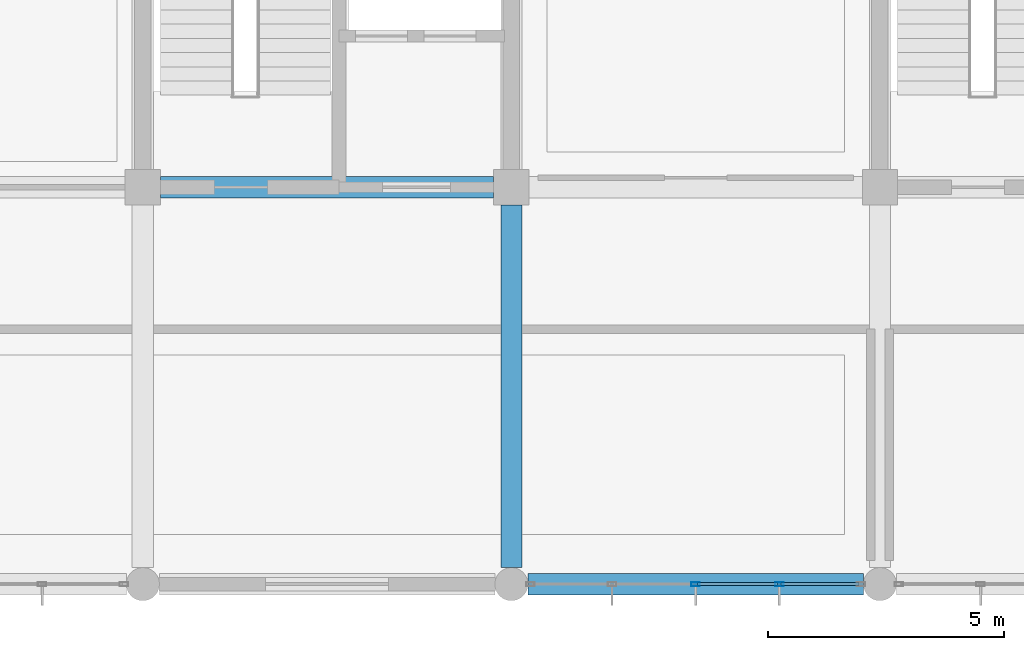
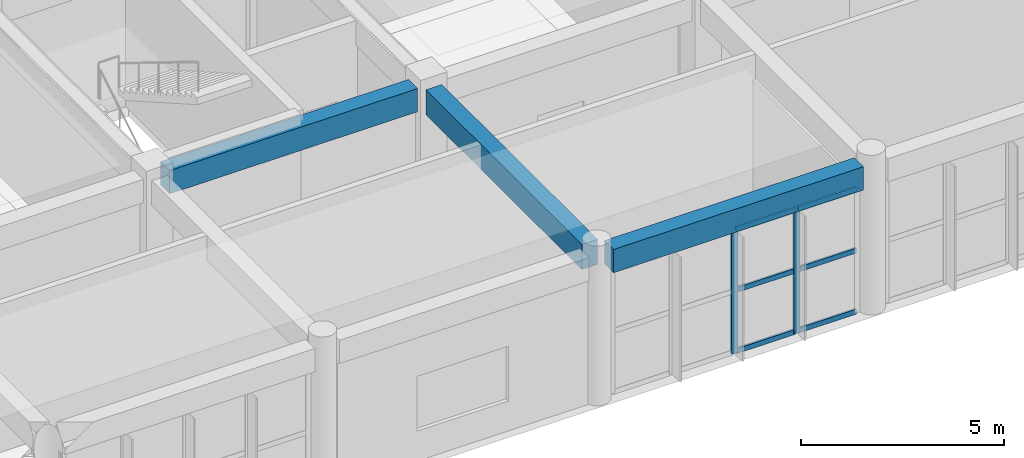
# One storey, part 28 of 167: 8 members, 3 beams, 1 element without a shape of its own.
"""IFC4 building model written with IfcOpenShell, lengths in metres."""

from ifc_helpers import new_model, si_unit, direction, frame, origin, origin_2d, place, context, subcontext, project, spatial, rectangle, hollow_rectangle, extrude, material, layer, layer_set, material_profile, profile_set, type_object, element, aggregate, save


model = new_model("IFC4")

# Units and contexts
model_context = context("Model", 3, precision=1e-05, world=origin(), true_north=direction((0.0, 1.0)))
body_context = subcontext(model_context, "Body", "Model", "MODEL_VIEW")
ifc_project = project(units=[si_unit("LENGTHUNIT", "METRE"), si_unit("AREAUNIT", "SQUARE_METRE"), si_unit("VOLUMEUNIT", "CUBIC_METRE"), si_unit("PLANEANGLEUNIT", "RADIAN"), si_unit("MASSUNIT", "GRAM", prefix="KILO")], contexts=[model_context])

# Site, building, storey
site_placement = place(None, origin())
site = spatial("IfcSite", under=ifc_project, at=site_placement, CompositionType="ELEMENT")
building_placement = place(site_placement, origin())
building = spatial("IfcBuilding", under=site, at=building_placement, Name="Zizhar Promenade General Hospital", CompositionType="ELEMENT")
storey_placement = place(building_placement, frame((0.0, 0.0, 9.60009765625)))
storey = spatial("IfcBuildingStorey", under=building, at=storey_placement, Name="L02", CompositionType="ELEMENT", Elevation=9.60009765625)

# Beams
ifc_material_1 = material(Name="Concrete C35/45", Category="concrete")
ifc_material_profile_1 = material_profile(ifc_material_1, rectangle(XDim=0.449951171875, YDim=0.699951171875, at=origin_2d()))
ifc_profile_set_1 = profile_set([ifc_material_profile_1], Name="Concrete C35/45")
beam_type_1 = type_object("IfcBeamType", Name="BM-RC-450x700", PredefinedType="BEAM", material=ifc_profile_set_1)
beam_1_placement = place(storey_placement, frame((78.375, 8.39990234375, 4.119873046875), z_axis=(1.0, 0.0, 0.0), x_axis=(0.0, 1.0, 0.0)))
element("IfcBeam", 1, at=beam_1_placement, inside=storey, type_object=beam_type_1, Name="Grid Beam X L02 (10-1)", PredefinedType="BEAM", context=body_context, shape_type="SweptSolid", body=[
    extrude(rectangle(XDim=0.449951171875, YDim=0.699951171875, at=origin_2d()), origin(), (0.0, 0.0, 1.0), 7.050048828125),
])
beam_2_placement = place(storey_placement, frame((86.14990234375, 0.0, 4.119873046875), z_axis=(1.0, 0.0, 0.0), x_axis=(0.0, 1.0, 0.0)))
element("IfcBeam", 2, at=beam_2_placement, inside=storey, type_object=beam_type_1, Name="Grid Beam X L02 (11-0)", PredefinedType="BEAM", context=body_context, shape_type="SweptSolid", body=[
    extrude(rectangle(XDim=0.449951171875, YDim=0.699951171875, at=origin_2d()), origin(), (0.0, 0.0, 1.0), 7.10009765625),
])
ifc_material_2 = material(Name="Concrete C35/45", Category="concrete")
ifc_material_profile_2 = material_profile(ifc_material_2, rectangle(XDim=0.449951171875, YDim=0.75, at=origin_2d()))
ifc_profile_set_2 = profile_set([ifc_material_profile_2], Name="Concrete C35/45")
beam_type_2 = type_object("IfcBeamType", Name="BM-RC-450x750", PredefinedType="BEAM", material=ifc_profile_set_2)
beam_3_placement = place(storey_placement, frame((85.800048828125, 0.35009765625, 4.094970703125), z_axis=(0.0, 1.0, 0.0), x_axis=(-1.0, 0.0, 0.0)))
element("IfcBeam", 3, at=beam_3_placement, inside=storey, type_object=beam_type_2, Name="Grid Beam Y L02 (11-0)", PredefinedType="BEAM", context=body_context, shape_type="SweptSolid", body=[
    extrude(rectangle(XDim=0.449951171875, YDim=0.75, at=origin_2d()), origin(), (0.0, 0.0, 1.0), 7.6748046875),
])

# Curtain wall, members
ifc_material_3 = material(Name="Anodised aluminium 6063-T6 and low-E glass", Category="aluminium")
ifc_layer = layer(ifc_material_3, 0.159912109375)
ifc_layer_set = layer_set([ifc_layer], Name="Anodised aluminium 6063-T6 and low-E glass")
curtain_wall_type = type_object("IfcCurtainWallType", Name="CW-DT-MOD1", PredefinedType="NOTDEFINED", material=ifc_layer_set)
curtain_wall_placement = place(storey_placement, origin())
curtain_wall = element("IfcCurtainWall", 4, at=curtain_wall_placement, inside=storey, type_object=curtain_wall_type, Name="Riverfront Clinical Curtain Wall L02-10", PredefinedType="NOTDEFINED")
ifc_material_4 = material(Name="Anodised aluminium 6063-T6", Category="aluminium")
ifc_material_profile_3 = material_profile(ifc_material_4, hollow_rectangle(XDim=0.080078125, YDim=0.179931640625, WallThickness=0.0048828125, at=origin_2d()))
ifc_profile_set_3 = profile_set([ifc_material_profile_3], Name="Anodised aluminium 6063-T6")
member_type_1 = type_object("IfcMemberType", Name="CWM-ALU-180x80", PredefinedType="MULLION", material=ifc_profile_set_3)
member_1_placement = place(storey_placement, frame((91.469970703125, 0.0, 0.0), z_axis=(0.0, 0.0, 1.0), x_axis=(0.0, -1.0, 0.0)))
member_1 = element("IfcMember", 5, at=member_1_placement, type_object=member_type_1, Name="CW-07 mullion 2", PredefinedType="MULLION", context=body_context, shape_type="SweptSolid", body=[
    extrude(hollow_rectangle(XDim=0.080078125, YDim=0.179931640625, WallThickness=0.0048828125, at=origin_2d()), origin(), (0.0, 0.0, 1.0), 3.72998046875),
])
member_2_placement = place(storey_placement, frame((89.699951171875, 0.0, 0.0), z_axis=(0.0, 0.0, 1.0), x_axis=(0.0, -1.0, 0.0)))
member_2 = element("IfcMember", 6, at=member_2_placement, type_object=member_type_1, Name="CW-07 mullion 3", PredefinedType="MULLION", context=body_context, shape_type="SweptSolid", body=[
    extrude(hollow_rectangle(XDim=0.080078125, YDim=0.179931640625, WallThickness=0.0048828125, at=origin_2d()), origin(), (0.0, 0.0, 1.0), 3.72998046875),
])
ifc_material_5 = material(Name="Anodised aluminium 6063-T6", Category="aluminium")
ifc_material_profile_4 = material_profile(ifc_material_5, hollow_rectangle(XDim=0.06005859375, YDim=0.14990234375, WallThickness=0.00390625, at=origin_2d()))
ifc_profile_set_4 = profile_set([ifc_material_profile_4], Name="Anodised aluminium 6063-T6")
member_type_2 = type_object("IfcMemberType", Name="CWT-ALU-150x60", PredefinedType="USERDEFINED", material=ifc_profile_set_4)
member_3_placement = place(storey_placement, frame((93.159912109375, 0.0, 0.02978515625), z_axis=(-1.0, 0.0, 0.0), x_axis=(0.0, -1.0, 0.0)))
member_3 = element("IfcMember", 7, at=member_3_placement, type_object=member_type_2, Name="CW-07 transom 1.1", ObjectType="TRANSOM", PredefinedType="USERDEFINED", context=body_context, shape_type="SweptSolid", body=[
    extrude(hollow_rectangle(XDim=0.06005859375, YDim=0.14990234375, WallThickness=0.00390625, at=origin_2d()), origin(), (0.0, 0.0, 1.0), 1.64990234375),
])
member_4_placement = place(storey_placement, frame((93.159912109375, 0.0, 1.864990234375), z_axis=(-1.0, 0.0, 0.0), x_axis=(0.0, -1.0, 0.0)))
member_4 = element("IfcMember", 8, at=member_4_placement, type_object=member_type_2, Name="CW-07 transom 1.2", ObjectType="TRANSOM", PredefinedType="USERDEFINED", context=body_context, shape_type="SweptSolid", body=[
    extrude(hollow_rectangle(XDim=0.06005859375, YDim=0.14990234375, WallThickness=0.00390625, at=origin_2d()), origin(), (0.0, 0.0, 1.0), 1.64990234375),
])
member_5_placement = place(storey_placement, frame((93.159912109375, 0.0, 3.699951171875), z_axis=(-1.0, 0.0, 0.0), x_axis=(0.0, -1.0, 0.0)))
member_5 = element("IfcMember", 9, at=member_5_placement, type_object=member_type_2, Name="CW-07 transom 1.3", ObjectType="TRANSOM", PredefinedType="USERDEFINED", context=body_context, shape_type="SweptSolid", body=[
    extrude(hollow_rectangle(XDim=0.06005859375, YDim=0.14990234375, WallThickness=0.00390625, at=origin_2d()), origin(), (0.0, 0.0, 1.0), 1.64990234375),
])
member_6_placement = place(storey_placement, frame((91.429931640625, 0.0, 0.02978515625), z_axis=(-1.0, 0.0, 0.0), x_axis=(0.0, -1.0, 0.0)))
member_6 = element("IfcMember", 10, at=member_6_placement, type_object=member_type_2, Name="CW-07 transom 2.1", ObjectType="TRANSOM", PredefinedType="USERDEFINED", context=body_context, shape_type="SweptSolid", body=[
    extrude(hollow_rectangle(XDim=0.06005859375, YDim=0.14990234375, WallThickness=0.00390625, at=origin_2d()), origin(), (0.0, 0.0, 1.0), 1.68994140625),
])
member_7_placement = place(storey_placement, frame((91.429931640625, 0.0, 1.864990234375), z_axis=(-1.0, 0.0, 0.0), x_axis=(0.0, -1.0, 0.0)))
member_7 = element("IfcMember", 11, at=member_7_placement, type_object=member_type_2, Name="CW-07 transom 2.2", ObjectType="TRANSOM", PredefinedType="USERDEFINED", context=body_context, shape_type="SweptSolid", body=[
    extrude(hollow_rectangle(XDim=0.06005859375, YDim=0.14990234375, WallThickness=0.00390625, at=origin_2d()), origin(), (0.0, 0.0, 1.0), 1.68994140625),
])
member_8_placement = place(storey_placement, frame((91.429931640625, 0.0, 3.699951171875), z_axis=(-1.0, 0.0, 0.0), x_axis=(0.0, -1.0, 0.0)))
member_8 = element("IfcMember", 12, at=member_8_placement, type_object=member_type_2, Name="CW-07 transom 2.3", ObjectType="TRANSOM", PredefinedType="USERDEFINED", context=body_context, shape_type="SweptSolid", body=[
    extrude(hollow_rectangle(XDim=0.06005859375, YDim=0.14990234375, WallThickness=0.00390625, at=origin_2d()), origin(), (0.0, 0.0, 1.0), 1.68994140625),
])
aggregate(curtain_wall, [member_1, member_2, member_3, member_4, member_5, member_6, member_7, member_8])

save(model, "model.ifc")
